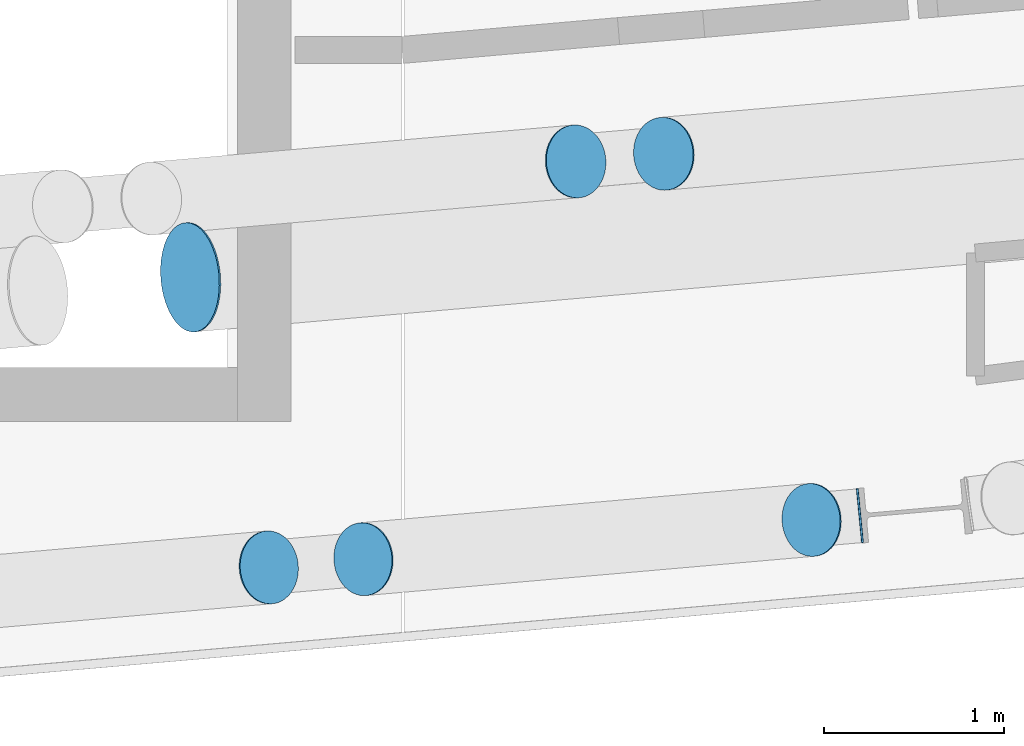
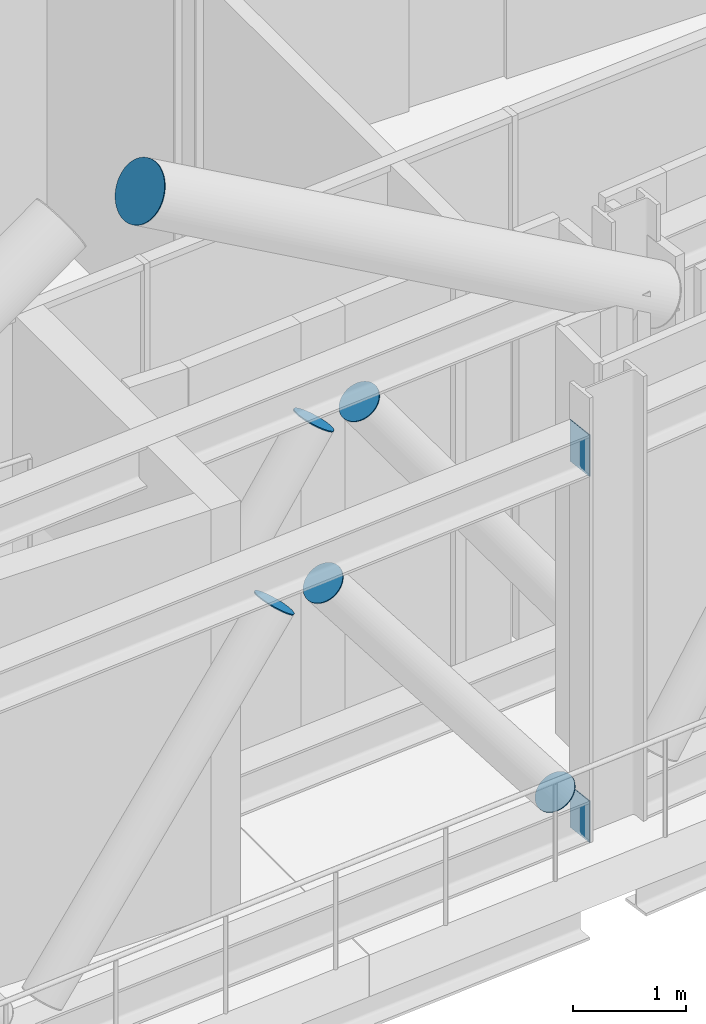
# One storey, part 24 of 35: 8 discrete accessories.
"""IFC4 building model written with IfcOpenShell, lengths in metres."""

from ifc_helpers import new_model, si_unit, direction, frame, origin, origin_2d, place, context, subcontext, project, spatial, rectangle, circle, extrude, material, material_profile, profile_set, type_object, element, save


model = new_model("IFC4")

# Units and contexts
model_context = context("Model", 3, precision=1e-05, world=origin(), true_north=direction((0.0, 1.0)))
body_context = subcontext(model_context, "Body", "Model", "MODEL_VIEW")
ifc_project = project(units=[si_unit("LENGTHUNIT", "METRE"), si_unit("AREAUNIT", "SQUARE_METRE"), si_unit("VOLUMEUNIT", "CUBIC_METRE"), si_unit("PLANEANGLEUNIT", "RADIAN"), si_unit("MASSUNIT", "GRAM", prefix="KILO")], contexts=[model_context])

# Site, building, storey
site_placement = place(None, origin())
site = spatial("IfcSite", under=ifc_project, at=site_placement, CompositionType="ELEMENT")
building_placement = place(site_placement, origin())
building = spatial("IfcBuilding", under=site, at=building_placement, Name="Wharfspan Tower", CompositionType="ELEMENT")
storey_placement = place(building_placement, frame((0.0, 0.0, 202.300049)))
storey = spatial("IfcBuildingStorey", under=building, at=storey_placement, Name="L50", CompositionType="ELEMENT", Elevation=202.300049)

# Discrete accessories
ifc_material_1 = material(Name="Steel S460NH", Category="steel")
ifc_material_profile_1 = material_profile(ifc_material_1, circle(Radius=0.203125, at=origin_2d()))
ifc_profile_set_1 = profile_set([ifc_material_profile_1], Name="Steel S460NH")
discrete_accessory_type_1 = type_object("IfcDiscreteAccessoryType", Name="End plate CHS 406x16", PredefinedType="BRACKET", material=ifc_profile_set_1)
for number, where, z_axis, x_axis, name in (
    (1, (69.772949, 5.62915, 3.830566), (0.576018, 0.048002, 0.816026), (-0.083046, 0.996542, 0.0), "End plate CHS 406x16"),
    (2, (70.264404, 5.672119, 3.838867), (0.576018, 0.048002, -0.816026), (-0.083046, 0.996542, 0.0), "End plate CHS 406x16"),
):
    element("IfcDiscreteAccessory", number, at=place(storey_placement, frame(where, z_axis=z_axis, x_axis=x_axis)), inside=storey, type_object=discrete_accessory_type_1, Name=name, PredefinedType="BRACKET", context=body_context, shape_type="SweptSolid", body=[
        extrude(circle(Radius=0.203125, at=origin_2d()), origin(), (0.0, 0.0, 1.0), 0.010254),
    ])
for number, where, z_axis, x_axis, name in (
    (3, (68.06543, 3.370117, 3.826172), (0.603154, 0.048252, 0.796164), (-0.079745, 0.996819, 0.0), "End plate CHS 406x16"),
    (4, (68.592773, 3.41626, 3.834229), (0.603154, 0.048252, -0.796164), (-0.079745, 0.996819, 0.0), "End plate CHS 406x16"),
    (5, (71.086426, 3.634521, 0.57373), (0.603154, 0.048252, -0.796164), (-0.079745, 0.996819, 0.0), "End plate CHS 406x16"),
):
    element("IfcDiscreteAccessory", number, at=place(storey_placement, frame(where, z_axis=z_axis, x_axis=x_axis)), inside=storey, type_object=discrete_accessory_type_1, Name=name, PredefinedType="BRACKET", context=body_context, shape_type="SweptSolid", body=[
        extrude(circle(Radius=0.203125, at=origin_2d()), origin(), (0.0, 0.0, 1.0), 0.01001),
    ])
ifc_material_profile_2 = material_profile(ifc_material_1, circle(Radius=0.304932, at=origin_2d()))
ifc_profile_set_2 = profile_set([ifc_material_profile_2], Name="Steel S460NH")
discrete_accessory_type_2 = type_object("IfcDiscreteAccessoryType", Name="End plate CHS 610x25", PredefinedType="BRACKET", material=ifc_profile_set_2)
discrete_accessory_placement = place(storey_placement, frame((67.638428, 4.985596, 7.44043), z_axis=(-0.844416, -0.072379, 0.530776), x_axis=(0.085402, -0.99635, 0.0)))
element("IfcDiscreteAccessory", 6, at=discrete_accessory_placement, inside=storey, type_object=discrete_accessory_type_2, Name="End plate CHS 610x25", PredefinedType="BRACKET", context=body_context, shape_type="SweptSolid", body=[
    extrude(circle(Radius=0.304932, at=origin_2d()), origin(), (0.0, 0.0, 1.0), 0.01001),
])
ifc_material_2 = material(Name="Steel S355J2", Category="steel")
ifc_material_profile_3 = material_profile(ifc_material_2, rectangle(XDim=0.300049, YDim=0.449951, at=origin_2d()))
ifc_profile_set_3 = profile_set([ifc_material_profile_3], Name="Steel S355J2")
discrete_accessory_type_3 = type_object("IfcDiscreteAccessoryType", Name="End plate HEB 450", PredefinedType="BRACKET", material=ifc_profile_set_3)
for number, where, z_axis, x_axis, name in (
    (7, (71.353027, 3.657715, 4.175049), (0.995275, 0.0971, 0.0), (-0.0971, 0.995275, 0.0), "End plate HEB 450"),
    (8, (71.353027, 3.657715, 0.224854), (0.995275, 0.0971, 0.0), (-0.0971, 0.995275, 0.0), "End plate HEB 450"),
):
    element("IfcDiscreteAccessory", number, at=place(storey_placement, frame(where, z_axis=z_axis, x_axis=x_axis)), inside=storey, type_object=discrete_accessory_type_3, Name=name, PredefinedType="BRACKET", context=body_context, shape_type="SweptSolid", body=[
        extrude(rectangle(XDim=0.300049, YDim=0.449951, at=origin_2d()), origin(), (0.0, 0.0, 1.0), 0.01001),
    ])

save(model, "model.ifc")
